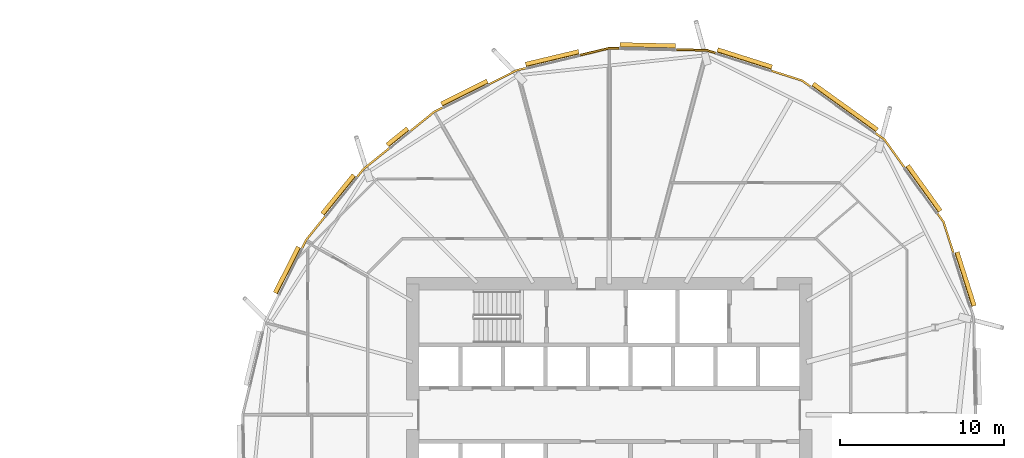
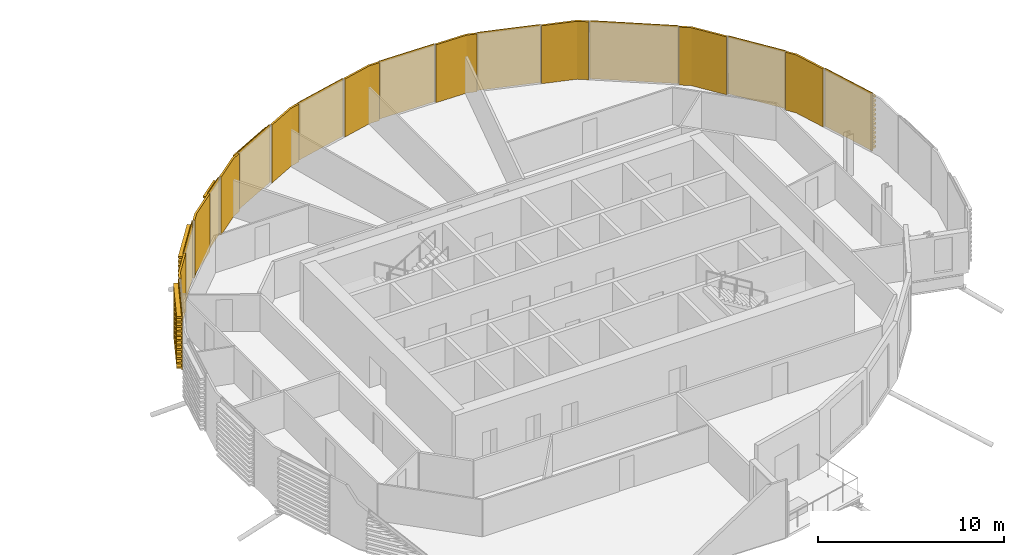
# One storey, part 42 of 43: 19 coverings.
"""IFC4 building model written with IfcOpenShell, lengths in metres."""

from ifc_helpers import new_model, si_unit, direction, frame, origin, place, context, subcontext, project, spatial, polyline, outline, extrude, material, layer, layer_set, material_profile, profile_set, type_object, element, save


model = new_model("IFC4")

# Units and contexts
model_context = context("Model", 3, precision=1e-05, world=origin(), true_north=direction((0.0, 1.0)))
body_context = subcontext(model_context, "Body", "Model", "MODEL_VIEW")
ifc_project = project(units=[si_unit("LENGTHUNIT", "METRE"), si_unit("AREAUNIT", "SQUARE_METRE"), si_unit("VOLUMEUNIT", "CUBIC_METRE"), si_unit("PLANEANGLEUNIT", "RADIAN"), si_unit("MASSUNIT", "GRAM", prefix="KILO")], contexts=[model_context])

# Site, building, storey
site_placement = place(None, origin())
site = spatial("IfcSite", under=ifc_project, at=site_placement, CompositionType="ELEMENT")
building_placement = place(site_placement, origin())
building = spatial("IfcBuilding", under=site, at=building_placement, Name="Rimbun Link Towers", CompositionType="ELEMENT")
storey_placement = place(building_placement, frame((0.0, 0.0, 81.60009765625)))
storey = spatial("IfcBuildingStorey", under=building, at=storey_placement, Name="L19", CompositionType="ELEMENT", Elevation=81.60009765625)

# Coverings
ifc_material_1 = material(Name="Terracotta", Category="masonry")
ifc_layer = layer(ifc_material_1, 0.1201171875)
ifc_layer_set = layer_set([ifc_layer], Name="LINK PIER terracotta cladding 120")
covering_type_1 = type_object("IfcCoveringType", Name="LINK PIER terracotta cladding 120", PredefinedType="CLADDING", material=ifc_layer_set)
covering_1_placement = place(storey_placement, origin())
element("IfcCovering", 1, at=covering_1_placement, inside=storey, type_object=covering_type_1, Name="LINK PIER cladding", PredefinedType="CLADDING", context=body_context, shape_type="SweptSolid", body=[
    extrude(outline(polyline([(47.96826171875, 17.1533203125), (48.5126953125, 16.7626953125), (49.719482421875, 15.080810546875), (49.81689453125, 15.150634765625), (48.5986328125, 16.8486328125), (48.0380859375, 17.250732421875), (47.96826171875, 17.1533203125)])), origin(), (0.0, 0.0, 1.0), 3.7998046875),
])
covering_2_placement = place(storey_placement, origin())
element("IfcCovering", 2, at=covering_2_placement, inside=storey, type_object=covering_type_1, Name="LINK PIER cladding", PredefinedType="CLADDING", context=body_context, shape_type="SweptSolid", body=[
    extrude(outline(polyline([(41.625732421875, 20.954345703125), (43.503173828125, 20.357177734375), (44.0068359375, 19.995849609375), (44.076904296875, 20.09326171875), (43.5576171875, 20.4658203125), (41.662109375, 21.068603515625), (41.625732421875, 20.954345703125)])), origin(), (0.0, 0.0, 1.0), 3.7998046875),
])
covering_3_placement = place(storey_placement, origin())
element("IfcCovering", 3, at=covering_3_placement, inside=storey, type_object=covering_type_1, Name="LINK PIER cladding", PredefinedType="CLADDING", context=body_context, shape_type="SweptSolid", body=[
    extrude(outline(polyline([(35.829833984375, 22.242431640625), (37.69921875, 22.202880859375), (38.242431640625, 22.0302734375), (38.27880859375, 22.14453125), (37.71923828125, 22.322509765625), (35.832275390625, 22.3623046875), (35.829833984375, 22.242431640625)])), origin(), (0.0, 0.0, 1.0), 3.7998046875),
])
covering_4_placement = place(storey_placement, origin())
element("IfcCovering", 4, at=covering_4_placement, inside=storey, type_object=covering_type_1, Name="LINK PIER cladding", PredefinedType="CLADDING", context=body_context, shape_type="SweptSolid", body=[
    extrude(outline(polyline([(29.97998046875, 21.905029296875), (31.75, 22.328369140625), (32.369873046875, 22.315185546875), (32.372314453125, 22.435302734375), (31.737060546875, 22.448486328125), (29.951904296875, 22.021728515625), (29.97998046875, 21.905029296875)])), origin(), (0.0, 0.0, 1.0), 3.7998046875),
])
covering_5_placement = place(storey_placement, origin())
element("IfcCovering", 5, at=covering_5_placement, inside=storey, type_object=covering_type_1, Name="LINK PIER cladding", PredefinedType="CLADDING", context=body_context, shape_type="SweptSolid", body=[
    extrude(outline(polyline([(24.456298828125, 20.14453125), (26.12744140625, 20.983642578125), (26.681884765625, 21.1162109375), (26.65380859375, 21.23291015625), (26.0859375, 21.09716796875), (24.40234375, 20.251708984375), (24.456298828125, 20.14453125)])), origin(), (0.0, 0.0, 1.0), 3.7998046875),
])
covering_6_placement = place(storey_placement, origin())
element("IfcCovering", 6, at=covering_6_placement, inside=storey, type_object=covering_type_1, Name="LINK PIER cladding", PredefinedType="CLADDING", context=body_context, shape_type="SweptSolid", body=[
    extrude(outline(polyline([(19.640869140625, 17.279541015625), (21.094482421875, 18.4560546875), (21.603759765625, 18.7119140625), (21.5498046875, 18.819091796875), (21.029052734375, 18.5576171875), (19.5654296875, 17.372802734375), (19.640869140625, 17.279541015625)])), origin(), (0.0, 0.0, 1.0), 3.7998046875),
])
covering_7_placement = place(storey_placement, origin())
element("IfcCovering", 7, at=covering_7_placement, inside=storey, type_object=covering_type_1, Name="LINK PIER cladding", PredefinedType="CLADDING", context=body_context, shape_type="SweptSolid", body=[
    extrude(outline(polyline([(16.393310546875, 14.484619140625), (16.783447265625, 14.966552734375), (18.353515625, 16.237548828125), (18.278076171875, 16.330810546875), (16.697998046875, 15.052001953125), (16.300048828125, 14.560302734375), (16.393310546875, 14.484619140625)])), origin(), (0.0, 0.0, 1.0), 3.7998046875),
])
covering_8_placement = place(storey_placement, origin())
element("IfcCovering", 8, at=covering_8_placement, inside=storey, type_object=covering_type_1, Name="LINK PIER cladding", PredefinedType="CLADDING", context=body_context, shape_type="SweptSolid", body=[
    extrude(outline(polyline([(13.0380859375, 10.146240234375), (13.2939453125, 10.655517578125), (14.43896484375, 12.0703125), (14.345703125, 12.145751953125), (13.1923828125, 10.720947265625), (12.930908203125, 10.2001953125), (13.0380859375, 10.146240234375)])), origin(), (0.0, 0.0, 1.0), 3.7998046875),
])
covering_9_placement = place(storey_placement, origin())
element("IfcCovering", 9, at=covering_9_placement, inside=storey, type_object=covering_type_1, Name="LINK PIER cladding", PredefinedType="CLADDING", context=body_context, shape_type="SweptSolid", body=[
    extrude(outline(polyline([(51.745849609375, 12.2568359375), (52.107177734375, 11.753173828125), (52.704345703125, 9.875732421875), (52.818603515625, 9.912109375), (52.2158203125, 11.8076171875), (51.84326171875, 12.326904296875), (51.745849609375, 12.2568359375)])), origin(), (0.0, 0.0, 1.0), 3.7998046875),
])
ifc_material_2 = material(Name="Terracotta", Category="masonry")
ifc_material_profile = material_profile(ifc_material_2, outline(polyline([(0.123046875, 0.0), (0.1630859375, 0.0), (0.1630859375, 0.10009765625), (0.423095703125, 0.10009765625), (0.423095703125, 0.219970703125), (0.1630859375, 0.219970703125), (0.1630859375, 0.39990234375), (0.423095703125, 0.39990234375), (0.423095703125, 0.52001953125), (0.1630859375, 0.52001953125), (0.1630859375, 0.699951171875), (0.423095703125, 0.699951171875), (0.423095703125, 0.820068359375), (0.1630859375, 0.820068359375), (0.1630859375, 1.0), (0.423095703125, 1.0), (0.423095703125, 1.1201171875), (0.1630859375, 1.1201171875), (0.1630859375, 1.300048828125), (0.423095703125, 1.300048828125), (0.423095703125, 1.419921875), (0.1630859375, 1.419921875), (0.1630859375, 1.60009765625), (0.423095703125, 1.60009765625), (0.423095703125, 1.719970703125), (0.1630859375, 1.719970703125), (0.1630859375, 1.89990234375), (0.423095703125, 1.89990234375), (0.423095703125, 2.02001953125), (0.1630859375, 2.02001953125), (0.1630859375, 2.199951171875), (0.423095703125, 2.199951171875), (0.423095703125, 2.320068359375), (0.1630859375, 2.320068359375), (0.1630859375, 2.5), (0.423095703125, 2.5), (0.423095703125, 2.6201171875), (0.1630859375, 2.6201171875), (0.1630859375, 2.800048828125), (0.423095703125, 2.800048828125), (0.423095703125, 2.919921875), (0.1630859375, 2.919921875), (0.1630859375, 3.10009765625), (0.423095703125, 3.10009765625), (0.423095703125, 3.219970703125), (0.1630859375, 3.219970703125), (0.1630859375, 3.39990234375), (0.423095703125, 3.39990234375), (0.423095703125, 3.52001953125), (0.1630859375, 3.52001953125), (0.1630859375, 3.800048828125), (0.123046875, 3.800048828125), (0.123046875, 0.0)])), Name="BAGUETTE 120X300")
ifc_profile_set = profile_set([ifc_material_profile], Name="Terracotta")
covering_type_2 = type_object("IfcCoveringType", Name="TERRACOTTA BAGUETTE 120X300 H3800", PredefinedType="CLADDING", material=ifc_profile_set)
covering_10_placement = place(storey_placement, frame((44.03125, 19.978271484375, 0.0), z_axis=(0.812464121007, -0.583011193784, 0.0), x_axis=(0.583011193784, 0.812464121007, 0.0)))
element("IfcCovering", 10, at=covering_10_placement, inside=storey, type_object=covering_type_2, Name="TERRACOTTA BAGUETTE", PredefinedType="CLADDING", context=body_context, shape_type="SweptSolid", body=[
    extrude(outline(polyline([(0.123046875, 0.0), (0.1630859375, 0.0), (0.1630859375, 0.10009765625), (0.423095703125, 0.10009765625), (0.423095703125, 0.219970703125), (0.1630859375, 0.219970703125), (0.1630859375, 0.39990234375), (0.423095703125, 0.39990234375), (0.423095703125, 0.52001953125), (0.1630859375, 0.52001953125), (0.1630859375, 0.699951171875), (0.423095703125, 0.699951171875), (0.423095703125, 0.820068359375), (0.1630859375, 0.820068359375), (0.1630859375, 1.0), (0.423095703125, 1.0), (0.423095703125, 1.1201171875), (0.1630859375, 1.1201171875), (0.1630859375, 1.300048828125), (0.423095703125, 1.300048828125), (0.423095703125, 1.419921875), (0.1630859375, 1.419921875), (0.1630859375, 1.60009765625), (0.423095703125, 1.60009765625), (0.423095703125, 1.719970703125), (0.1630859375, 1.719970703125), (0.1630859375, 1.89990234375), (0.423095703125, 1.89990234375), (0.423095703125, 2.02001953125), (0.1630859375, 2.02001953125), (0.1630859375, 2.199951171875), (0.423095703125, 2.199951171875), (0.423095703125, 2.320068359375), (0.1630859375, 2.320068359375), (0.1630859375, 2.5), (0.423095703125, 2.5), (0.423095703125, 2.6201171875), (0.1630859375, 2.6201171875), (0.1630859375, 2.800048828125), (0.423095703125, 2.800048828125), (0.423095703125, 2.919921875), (0.1630859375, 2.919921875), (0.1630859375, 3.10009765625), (0.423095703125, 3.10009765625), (0.423095703125, 3.219970703125), (0.1630859375, 3.219970703125), (0.1630859375, 3.39990234375), (0.423095703125, 3.39990234375), (0.423095703125, 3.52001953125), (0.1630859375, 3.52001953125), (0.1630859375, 3.800048828125), (0.123046875, 3.800048828125), (0.123046875, 0.0)])), origin(), (0.0, 0.0, 1.0), 4.815673828125),
])
covering_11_placement = place(storey_placement, frame((38.27099609375, 22.021240234375, 0.0), z_axis=(0.952964354956, -0.30308239504, 0.0), x_axis=(0.30308239504, 0.952964354956, 0.0)))
element("IfcCovering", 11, at=covering_11_placement, inside=storey, type_object=covering_type_2, Name="TERRACOTTA BAGUETTE", PredefinedType="CLADDING", context=body_context, shape_type="SweptSolid", body=[
    extrude(outline(polyline([(0.123046875, 0.0), (0.1630859375, 0.0), (0.1630859375, 0.10009765625), (0.423095703125, 0.10009765625), (0.423095703125, 0.219970703125), (0.1630859375, 0.219970703125), (0.1630859375, 0.39990234375), (0.423095703125, 0.39990234375), (0.423095703125, 0.52001953125), (0.1630859375, 0.52001953125), (0.1630859375, 0.699951171875), (0.423095703125, 0.699951171875), (0.423095703125, 0.820068359375), (0.1630859375, 0.820068359375), (0.1630859375, 1.0), (0.423095703125, 1.0), (0.423095703125, 1.1201171875), (0.1630859375, 1.1201171875), (0.1630859375, 1.300048828125), (0.423095703125, 1.300048828125), (0.423095703125, 1.419921875), (0.1630859375, 1.419921875), (0.1630859375, 1.60009765625), (0.423095703125, 1.60009765625), (0.423095703125, 1.719970703125), (0.1630859375, 1.719970703125), (0.1630859375, 1.89990234375), (0.423095703125, 1.89990234375), (0.423095703125, 2.02001953125), (0.1630859375, 2.02001953125), (0.1630859375, 2.199951171875), (0.423095703125, 2.199951171875), (0.423095703125, 2.320068359375), (0.1630859375, 2.320068359375), (0.1630859375, 2.5), (0.423095703125, 2.5), (0.423095703125, 2.6201171875), (0.1630859375, 2.6201171875), (0.1630859375, 2.800048828125), (0.423095703125, 2.800048828125), (0.423095703125, 2.919921875), (0.1630859375, 2.919921875), (0.1630859375, 3.10009765625), (0.423095703125, 3.10009765625), (0.423095703125, 3.219970703125), (0.1630859375, 3.219970703125), (0.1630859375, 3.39990234375), (0.423095703125, 3.39990234375), (0.423095703125, 3.52001953125), (0.1630859375, 3.52001953125), (0.1630859375, 3.800048828125), (0.123046875, 3.800048828125), (0.123046875, 0.0)])), origin(), (0.0, 0.0, 1.0), 3.490234375),
])
covering_12_placement = place(storey_placement, frame((32.39990234375, 22.314697265625, 0.0), z_axis=(0.999777224853, -0.021106886694, 0.0), x_axis=(0.021106886694, 0.999777224853, 0.0)))
element("IfcCovering", 12, at=covering_12_placement, inside=storey, type_object=covering_type_2, Name="TERRACOTTA BAGUETTE", PredefinedType="CLADDING", context=body_context, shape_type="SweptSolid", body=[
    extrude(outline(polyline([(0.123046875, 0.0), (0.1630859375, 0.0), (0.1630859375, 0.10009765625), (0.423095703125, 0.10009765625), (0.423095703125, 0.219970703125), (0.1630859375, 0.219970703125), (0.1630859375, 0.39990234375), (0.423095703125, 0.39990234375), (0.423095703125, 0.52001953125), (0.1630859375, 0.52001953125), (0.1630859375, 0.699951171875), (0.423095703125, 0.699951171875), (0.423095703125, 0.820068359375), (0.1630859375, 0.820068359375), (0.1630859375, 1.0), (0.423095703125, 1.0), (0.423095703125, 1.1201171875), (0.1630859375, 1.1201171875), (0.1630859375, 1.300048828125), (0.423095703125, 1.300048828125), (0.423095703125, 1.419921875), (0.1630859375, 1.419921875), (0.1630859375, 1.60009765625), (0.423095703125, 1.60009765625), (0.423095703125, 1.719970703125), (0.1630859375, 1.719970703125), (0.1630859375, 1.89990234375), (0.423095703125, 1.89990234375), (0.423095703125, 2.02001953125), (0.1630859375, 2.02001953125), (0.1630859375, 2.199951171875), (0.423095703125, 2.199951171875), (0.423095703125, 2.320068359375), (0.1630859375, 2.320068359375), (0.1630859375, 2.5), (0.423095703125, 2.5), (0.423095703125, 2.6201171875), (0.1630859375, 2.6201171875), (0.1630859375, 2.800048828125), (0.423095703125, 2.800048828125), (0.423095703125, 2.919921875), (0.1630859375, 2.919921875), (0.1630859375, 3.10009765625), (0.423095703125, 3.10009765625), (0.423095703125, 3.219970703125), (0.1630859375, 3.219970703125), (0.1630859375, 3.39990234375), (0.423095703125, 3.39990234375), (0.423095703125, 3.52001953125), (0.1630859375, 3.52001953125), (0.1630859375, 3.800048828125), (0.123046875, 3.800048828125), (0.123046875, 0.0)])), origin(), (0.0, 0.0, 1.0), 3.400634765625),
])
covering_13_placement = place(storey_placement, frame((26.7109375, 21.123291015625, 0.0), z_axis=(0.972583216264, 0.232555127747, 0.0), x_axis=(-0.232555127747, 0.972583216264, 0.0)))
element("IfcCovering", 13, at=covering_13_placement, inside=storey, type_object=covering_type_2, Name="TERRACOTTA BAGUETTE", PredefinedType="CLADDING", context=body_context, shape_type="SweptSolid", body=[
    extrude(outline(polyline([(0.123046875, 0.0), (0.1630859375, 0.0), (0.1630859375, 0.10009765625), (0.423095703125, 0.10009765625), (0.423095703125, 0.219970703125), (0.1630859375, 0.219970703125), (0.1630859375, 0.39990234375), (0.423095703125, 0.39990234375), (0.423095703125, 0.52001953125), (0.1630859375, 0.52001953125), (0.1630859375, 0.699951171875), (0.423095703125, 0.699951171875), (0.423095703125, 0.820068359375), (0.1630859375, 0.820068359375), (0.1630859375, 1.0), (0.423095703125, 1.0), (0.423095703125, 1.1201171875), (0.1630859375, 1.1201171875), (0.1630859375, 1.300048828125), (0.423095703125, 1.300048828125), (0.423095703125, 1.419921875), (0.1630859375, 1.419921875), (0.1630859375, 1.60009765625), (0.423095703125, 1.60009765625), (0.423095703125, 1.719970703125), (0.1630859375, 1.719970703125), (0.1630859375, 1.89990234375), (0.423095703125, 1.89990234375), (0.423095703125, 2.02001953125), (0.1630859375, 2.02001953125), (0.1630859375, 2.199951171875), (0.423095703125, 2.199951171875), (0.423095703125, 2.320068359375), (0.1630859375, 2.320068359375), (0.1630859375, 2.5), (0.423095703125, 2.5), (0.423095703125, 2.6201171875), (0.1630859375, 2.6201171875), (0.1630859375, 2.800048828125), (0.423095703125, 2.800048828125), (0.423095703125, 2.919921875), (0.1630859375, 2.919921875), (0.1630859375, 3.10009765625), (0.423095703125, 3.10009765625), (0.423095703125, 3.219970703125), (0.1630859375, 3.219970703125), (0.1630859375, 3.39990234375), (0.423095703125, 3.39990234375), (0.423095703125, 3.52001953125), (0.1630859375, 3.52001953125), (0.1630859375, 3.800048828125), (0.123046875, 3.800048828125), (0.123046875, 0.0)])), origin(), (0.0, 0.0, 1.0), 3.3310546875),
])
covering_14_placement = place(storey_placement, frame((21.630615234375, 18.725341796875, 0.0), z_axis=(0.893615044869, 0.448834213918, 0.0), x_axis=(-0.448834213918, 0.893615044869, 0.0)))
element("IfcCovering", 14, at=covering_14_placement, inside=storey, type_object=covering_type_2, Name="TERRACOTTA BAGUETTE", PredefinedType="CLADDING", context=body_context, shape_type="SweptSolid", body=[
    extrude(outline(polyline([(0.123046875, 0.0), (0.1630859375, 0.0), (0.1630859375, 0.10009765625), (0.423095703125, 0.10009765625), (0.423095703125, 0.219970703125), (0.1630859375, 0.219970703125), (0.1630859375, 0.39990234375), (0.423095703125, 0.39990234375), (0.423095703125, 0.52001953125), (0.1630859375, 0.52001953125), (0.1630859375, 0.699951171875), (0.423095703125, 0.699951171875), (0.423095703125, 0.820068359375), (0.1630859375, 0.820068359375), (0.1630859375, 1.0), (0.423095703125, 1.0), (0.423095703125, 1.1201171875), (0.1630859375, 1.1201171875), (0.1630859375, 1.300048828125), (0.423095703125, 1.300048828125), (0.423095703125, 1.419921875), (0.1630859375, 1.419921875), (0.1630859375, 1.60009765625), (0.423095703125, 1.60009765625), (0.423095703125, 1.719970703125), (0.1630859375, 1.719970703125), (0.1630859375, 1.89990234375), (0.423095703125, 1.89990234375), (0.423095703125, 2.02001953125), (0.1630859375, 2.02001953125), (0.1630859375, 2.199951171875), (0.423095703125, 2.199951171875), (0.423095703125, 2.320068359375), (0.1630859375, 2.320068359375), (0.1630859375, 2.5), (0.423095703125, 2.5), (0.423095703125, 2.6201171875), (0.1630859375, 2.6201171875), (0.1630859375, 2.800048828125), (0.423095703125, 2.800048828125), (0.423095703125, 2.919921875), (0.1630859375, 2.919921875), (0.1630859375, 3.10009765625), (0.423095703125, 3.10009765625), (0.423095703125, 3.219970703125), (0.1630859375, 3.219970703125), (0.1630859375, 3.39990234375), (0.423095703125, 3.39990234375), (0.423095703125, 3.52001953125), (0.1630859375, 3.52001953125), (0.1630859375, 3.800048828125), (0.123046875, 3.800048828125), (0.123046875, 0.0)])), origin(), (0.0, 0.0, 1.0), 3.132080078125),
])
covering_15_placement = place(storey_placement, frame((18.376708984375, 16.25634765625, 0.0), z_axis=(0.777305407687, 0.629123440336, 0.0), x_axis=(-0.629123440336, 0.777305407687, 0.0)))
element("IfcCovering", 15, at=covering_15_placement, inside=storey, type_object=covering_type_2, Name="TERRACOTTA BAGUETTE", PredefinedType="CLADDING", context=body_context, shape_type="SweptSolid", body=[
    extrude(outline(polyline([(0.123046875, 0.0), (0.1630859375, 0.0), (0.1630859375, 0.10009765625), (0.423095703125, 0.10009765625), (0.423095703125, 0.219970703125), (0.1630859375, 0.219970703125), (0.1630859375, 0.39990234375), (0.423095703125, 0.39990234375), (0.423095703125, 0.52001953125), (0.1630859375, 0.52001953125), (0.1630859375, 0.699951171875), (0.423095703125, 0.699951171875), (0.423095703125, 0.820068359375), (0.1630859375, 0.820068359375), (0.1630859375, 1.0), (0.423095703125, 1.0), (0.423095703125, 1.1201171875), (0.1630859375, 1.1201171875), (0.1630859375, 1.300048828125), (0.423095703125, 1.300048828125), (0.423095703125, 1.419921875), (0.1630859375, 1.419921875), (0.1630859375, 1.60009765625), (0.423095703125, 1.60009765625), (0.423095703125, 1.719970703125), (0.1630859375, 1.719970703125), (0.1630859375, 1.89990234375), (0.423095703125, 1.89990234375), (0.423095703125, 2.02001953125), (0.1630859375, 2.02001953125), (0.1630859375, 2.199951171875), (0.423095703125, 2.199951171875), (0.423095703125, 2.320068359375), (0.1630859375, 2.320068359375), (0.1630859375, 2.5), (0.423095703125, 2.5), (0.423095703125, 2.6201171875), (0.1630859375, 2.6201171875), (0.1630859375, 2.800048828125), (0.423095703125, 2.800048828125), (0.423095703125, 2.919921875), (0.1630859375, 2.919921875), (0.1630859375, 3.10009765625), (0.423095703125, 3.10009765625), (0.423095703125, 3.219970703125), (0.1630859375, 3.219970703125), (0.1630859375, 3.39990234375), (0.423095703125, 3.39990234375), (0.423095703125, 3.52001953125), (0.1630859375, 3.52001953125), (0.1630859375, 3.800048828125), (0.123046875, 3.800048828125), (0.123046875, 0.0)])), origin(), (0.0, 0.0, 1.0), 1.596435546875),
])
covering_16_placement = place(storey_placement, frame((14.457763671875, 12.093505859375, 0.0), z_axis=(0.629170563879, 0.777267265198, 0.0), x_axis=(-0.777267265198, 0.629170563879, 0.0)))
element("IfcCovering", 16, at=covering_16_placement, inside=storey, type_object=covering_type_2, Name="TERRACOTTA BAGUETTE", PredefinedType="CLADDING", context=body_context, shape_type="SweptSolid", body=[
    extrude(outline(polyline([(0.123046875, 0.0), (0.1630859375, 0.0), (0.1630859375, 0.10009765625), (0.423095703125, 0.10009765625), (0.423095703125, 0.219970703125), (0.1630859375, 0.219970703125), (0.1630859375, 0.39990234375), (0.423095703125, 0.39990234375), (0.423095703125, 0.52001953125), (0.1630859375, 0.52001953125), (0.1630859375, 0.699951171875), (0.423095703125, 0.699951171875), (0.423095703125, 0.820068359375), (0.1630859375, 0.820068359375), (0.1630859375, 1.0), (0.423095703125, 1.0), (0.423095703125, 1.1201171875), (0.1630859375, 1.1201171875), (0.1630859375, 1.300048828125), (0.423095703125, 1.300048828125), (0.423095703125, 1.419921875), (0.1630859375, 1.419921875), (0.1630859375, 1.60009765625), (0.423095703125, 1.60009765625), (0.423095703125, 1.719970703125), (0.1630859375, 1.719970703125), (0.1630859375, 1.89990234375), (0.423095703125, 1.89990234375), (0.423095703125, 2.02001953125), (0.1630859375, 2.02001953125), (0.1630859375, 2.199951171875), (0.423095703125, 2.199951171875), (0.423095703125, 2.320068359375), (0.1630859375, 2.320068359375), (0.1630859375, 2.5), (0.423095703125, 2.5), (0.423095703125, 2.6201171875), (0.1630859375, 2.6201171875), (0.1630859375, 2.800048828125), (0.423095703125, 2.800048828125), (0.423095703125, 2.919921875), (0.1630859375, 2.919921875), (0.1630859375, 3.10009765625), (0.423095703125, 3.10009765625), (0.423095703125, 3.219970703125), (0.1630859375, 3.219970703125), (0.1630859375, 3.39990234375), (0.423095703125, 3.39990234375), (0.423095703125, 3.52001953125), (0.1630859375, 3.52001953125), (0.1630859375, 3.800048828125), (0.123046875, 3.800048828125), (0.123046875, 0.0)])), origin(), (0.0, 0.0, 1.0), 3.04638671875),
])
covering_17_placement = place(storey_placement, frame((11.618896484375, 7.320556640625, 0.0), z_axis=(0.448834213918, 0.893615044869, 0.0), x_axis=(-0.893615044869, 0.448834213918, 0.0)))
element("IfcCovering", 17, at=covering_17_placement, inside=storey, type_object=covering_type_2, Name="TERRACOTTA BAGUETTE", PredefinedType="CLADDING", context=body_context, shape_type="SweptSolid", body=[
    extrude(outline(polyline([(0.123046875, 0.0), (0.1630859375, 0.0), (0.1630859375, 0.10009765625), (0.423095703125, 0.10009765625), (0.423095703125, 0.219970703125), (0.1630859375, 0.219970703125), (0.1630859375, 0.39990234375), (0.423095703125, 0.39990234375), (0.423095703125, 0.52001953125), (0.1630859375, 0.52001953125), (0.1630859375, 0.699951171875), (0.423095703125, 0.699951171875), (0.423095703125, 0.820068359375), (0.1630859375, 0.820068359375), (0.1630859375, 1.0), (0.423095703125, 1.0), (0.423095703125, 1.1201171875), (0.1630859375, 1.1201171875), (0.1630859375, 1.300048828125), (0.423095703125, 1.300048828125), (0.423095703125, 1.419921875), (0.1630859375, 1.419921875), (0.1630859375, 1.60009765625), (0.423095703125, 1.60009765625), (0.423095703125, 1.719970703125), (0.1630859375, 1.719970703125), (0.1630859375, 1.89990234375), (0.423095703125, 1.89990234375), (0.423095703125, 2.02001953125), (0.1630859375, 2.02001953125), (0.1630859375, 2.199951171875), (0.423095703125, 2.199951171875), (0.423095703125, 2.320068359375), (0.1630859375, 2.320068359375), (0.1630859375, 2.5), (0.423095703125, 2.5), (0.423095703125, 2.6201171875), (0.1630859375, 2.6201171875), (0.1630859375, 2.800048828125), (0.423095703125, 2.800048828125), (0.423095703125, 2.919921875), (0.1630859375, 2.919921875), (0.1630859375, 3.10009765625), (0.423095703125, 3.10009765625), (0.423095703125, 3.219970703125), (0.1630859375, 3.219970703125), (0.1630859375, 3.39990234375), (0.423095703125, 3.39990234375), (0.423095703125, 3.52001953125), (0.1630859375, 3.52001953125), (0.1630859375, 3.800048828125), (0.123046875, 3.800048828125), (0.123046875, 0.0)])), origin(), (0.0, 0.0, 1.0), 3.132080078125),
])
covering_18_placement = place(storey_placement, frame((52.71337890625, 9.84716796875, 0.0), z_axis=(0.303104060842, -0.952957464057, 0.0), x_axis=(0.952957464057, 0.303104060842, 0.0)))
element("IfcCovering", 18, at=covering_18_placement, inside=storey, type_object=covering_type_2, Name="TERRACOTTA BAGUETTE", PredefinedType="CLADDING", context=body_context, shape_type="SweptSolid", body=[
    extrude(outline(polyline([(0.123046875, 0.0), (0.1630859375, 0.0), (0.1630859375, 0.10009765625), (0.423095703125, 0.10009765625), (0.423095703125, 0.219970703125), (0.1630859375, 0.219970703125), (0.1630859375, 0.39990234375), (0.423095703125, 0.39990234375), (0.423095703125, 0.52001953125), (0.1630859375, 0.52001953125), (0.1630859375, 0.699951171875), (0.423095703125, 0.699951171875), (0.423095703125, 0.820068359375), (0.1630859375, 0.820068359375), (0.1630859375, 1.0), (0.423095703125, 1.0), (0.423095703125, 1.1201171875), (0.1630859375, 1.1201171875), (0.1630859375, 1.300048828125), (0.423095703125, 1.300048828125), (0.423095703125, 1.419921875), (0.1630859375, 1.419921875), (0.1630859375, 1.60009765625), (0.423095703125, 1.60009765625), (0.423095703125, 1.719970703125), (0.1630859375, 1.719970703125), (0.1630859375, 1.89990234375), (0.423095703125, 1.89990234375), (0.423095703125, 2.02001953125), (0.1630859375, 2.02001953125), (0.1630859375, 2.199951171875), (0.423095703125, 2.199951171875), (0.423095703125, 2.320068359375), (0.1630859375, 2.320068359375), (0.1630859375, 2.5), (0.423095703125, 2.5), (0.423095703125, 2.6201171875), (0.1630859375, 2.6201171875), (0.1630859375, 2.800048828125), (0.423095703125, 2.800048828125), (0.423095703125, 2.919921875), (0.1630859375, 2.919921875), (0.1630859375, 3.10009765625), (0.423095703125, 3.10009765625), (0.423095703125, 3.219970703125), (0.1630859375, 3.219970703125), (0.1630859375, 3.39990234375), (0.423095703125, 3.39990234375), (0.423095703125, 3.52001953125), (0.1630859375, 3.52001953125), (0.1630859375, 3.800048828125), (0.123046875, 3.800048828125), (0.123046875, 0.0)])), origin(), (0.0, 0.0, 1.0), 3.440185546875),
])
covering_19_placement = place(storey_placement, frame((49.73681640625, 15.056396484375, 0.0), z_axis=(0.583021739136, -0.812456553728, 0.0), x_axis=(0.812456553728, 0.583021739136, 0.0)))
element("IfcCovering", 19, at=covering_19_placement, inside=storey, type_object=covering_type_2, Name="TERRACOTTA BAGUETTE", PredefinedType="CLADDING", context=body_context, shape_type="SweptSolid", body=[
    extrude(outline(polyline([(0.123046875, 0.0), (0.1630859375, 0.0), (0.1630859375, 0.10009765625), (0.423095703125, 0.10009765625), (0.423095703125, 0.219970703125), (0.1630859375, 0.219970703125), (0.1630859375, 0.39990234375), (0.423095703125, 0.39990234375), (0.423095703125, 0.52001953125), (0.1630859375, 0.52001953125), (0.1630859375, 0.699951171875), (0.423095703125, 0.699951171875), (0.423095703125, 0.820068359375), (0.1630859375, 0.820068359375), (0.1630859375, 1.0), (0.423095703125, 1.0), (0.423095703125, 1.1201171875), (0.1630859375, 1.1201171875), (0.1630859375, 1.300048828125), (0.423095703125, 1.300048828125), (0.423095703125, 1.419921875), (0.1630859375, 1.419921875), (0.1630859375, 1.60009765625), (0.423095703125, 1.60009765625), (0.423095703125, 1.719970703125), (0.1630859375, 1.719970703125), (0.1630859375, 1.89990234375), (0.423095703125, 1.89990234375), (0.423095703125, 2.02001953125), (0.1630859375, 2.02001953125), (0.1630859375, 2.199951171875), (0.423095703125, 2.199951171875), (0.423095703125, 2.320068359375), (0.1630859375, 2.320068359375), (0.1630859375, 2.5), (0.423095703125, 2.5), (0.423095703125, 2.6201171875), (0.1630859375, 2.6201171875), (0.1630859375, 2.800048828125), (0.423095703125, 2.800048828125), (0.423095703125, 2.919921875), (0.1630859375, 2.919921875), (0.1630859375, 3.10009765625), (0.423095703125, 3.10009765625), (0.423095703125, 3.219970703125), (0.1630859375, 3.219970703125), (0.1630859375, 3.39990234375), (0.423095703125, 3.39990234375), (0.423095703125, 3.52001953125), (0.1630859375, 3.52001953125), (0.1630859375, 3.800048828125), (0.123046875, 3.800048828125), (0.123046875, 0.0)])), origin(), (0.0, 0.0, 1.0), 3.415771484375),
])

save(model, "model.ifc")
